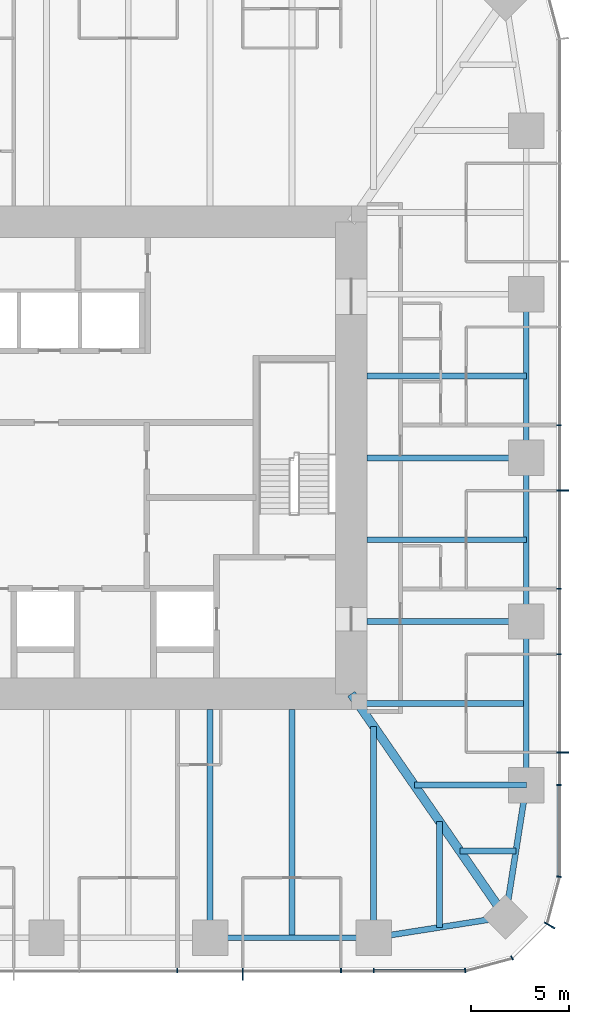
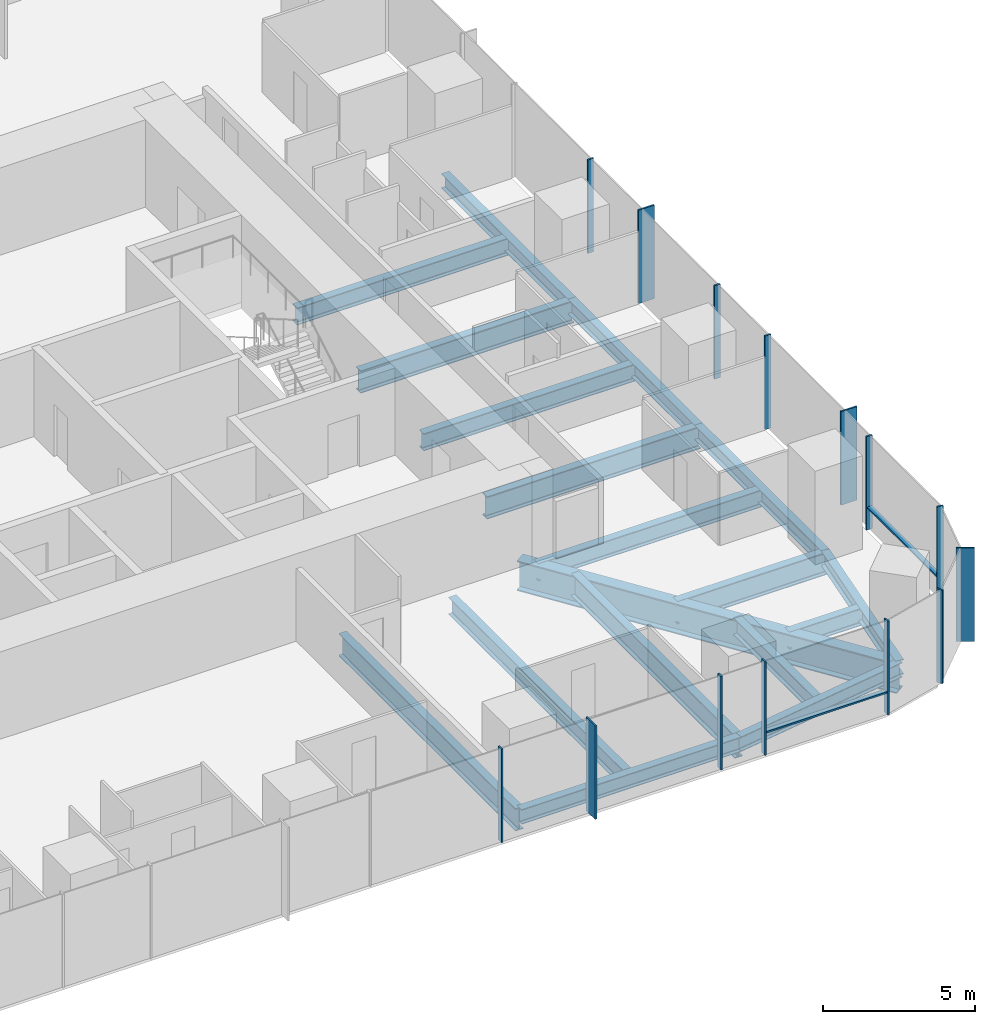
# One storey, part 4 of 12: 18 beams, 16 members, 3 elements without a shape of their own.
"""IFC4 building model written with IfcOpenShell, lengths in metres."""

import ifcopenshell
import ifcopenshell.guid

model = None  # the IFC model being written
_history = None  # IfcOwnerHistory: only IFC2X3 demands one
_inside = {}  # id of a spatial element -> (the spatial element, [elements in it])
_under = {}  # id of a project, library or spatial element -> (it, [spatial elements below it])
_declared = {}  # id of a project -> (the project, [libraries it declares])
_typed = {}  # id of a type object -> (the type object, [elements of that type])
_made_of = {}  # id of a material, layer set ... -> (it, [elements and type objects made of it])


def new_model(schema):
    """Start an empty IFC model of exactly this schema.

    Asked for "IFC4X3", IfcOpenShell would pick the latest addendum, in which some entities
    have other attributes; the version numbers below select the first issue.
    IFC2X3 requires an IfcOwnerHistory on every rooted entity: one is made here for all.
    """
    global model, _history
    if schema == "IFC4X3":
        model = ifcopenshell.file(schema_version=(4, 3, 0, 0))
    else:
        model = ifcopenshell.file(schema=schema)
    _inside.clear()
    _under.clear()
    _declared.clear()
    _typed.clear()
    _made_of.clear()
    _history = None
    if model.schema == "IFC2X3":
        org = make("IfcOrganization", Name="unknown")
        user = make(
            "IfcPersonAndOrganization",
            ThePerson=make("IfcPerson", FamilyName="unknown"),
            TheOrganization=org,
        )
        app = make(
            "IfcApplication",
            ApplicationDeveloper=org,
            Version="unknown",
            ApplicationFullName="unknown",
            ApplicationIdentifier="unknown",
        )
        _history = make(
            "IfcOwnerHistory",
            OwningUser=user,
            OwningApplication=app,
            ChangeAction="ADDED",
            CreationDate=0,
        )
    return model


def make(cls, **values):
    """One entity of the class cls with the attributes given. An attribute that is None is left unset."""
    return model.create_entity(
        cls, **{name: value for name, value in values.items() if value is not None}
    )


def rooted(cls, **values):
    """An entity with a GlobalId (a new one), such as an element, a storey or a relation."""
    return make(cls, GlobalId=ifcopenshell.guid.new(), OwnerHistory=_history, **values)


def si_unit(unit_type, name, prefix=None):
    """IfcSIUnit, for example si_unit("LENGTHUNIT", "METRE", prefix="MILLI")."""
    return make("IfcSIUnit", UnitType=unit_type, Prefix=prefix, Name=name)


def assignment(units):
    """IfcUnitAssignment: the units of a project."""
    return None if units is None else make("IfcUnitAssignment", Units=units)


def point(xyz):
    """IfcCartesianPoint."""
    return None if xyz is None else make("IfcCartesianPoint", Coordinates=xyz)


def direction(xyz):
    """IfcDirection."""
    return None if xyz is None else make("IfcDirection", DirectionRatios=xyz)


def frame(location, z_axis=None, x_axis=None):
    """IfcAxis2Placement3D, a coordinate frame: its origin and axes. An axis left out is left unset."""
    return make(
        "IfcAxis2Placement3D",
        Location=point(location),
        Axis=direction(z_axis),
        RefDirection=direction(x_axis),
    )


def frame_2d(location, x_axis=None):
    """IfcAxis2Placement2D, a coordinate frame in the plane: its origin and x axis."""
    return make(
        "IfcAxis2Placement2D", Location=point(location), RefDirection=direction(x_axis)
    )


def origin():
    """The frame at (0, 0, 0) with its axes left unset."""
    return frame((0.0, 0.0, 0.0))


def origin_2d():
    """The frame at (0, 0) in the plane with its x axis left unset."""
    return frame_2d((0.0, 0.0))


def place(relative_to, where):
    """IfcLocalPlacement: puts the frame where relative to a parent placement (None: the world)."""
    return make(
        "IfcLocalPlacement", PlacementRelTo=relative_to, RelativePlacement=where
    )


def context(
    kind, dimensions, precision=None, world=None, true_north=None, identifier=None
):
    """IfcGeometricRepresentationContext, for example the 3D "Model" context."""
    return make(
        "IfcGeometricRepresentationContext",
        ContextIdentifier=identifier,
        ContextType=kind,
        CoordinateSpaceDimension=dimensions,
        Precision=precision,
        WorldCoordinateSystem=world,
        TrueNorth=true_north,
    )


def subcontext(parent, identifier, kind, view, scale=None):
    """IfcGeometricRepresentationSubContext, for example "Body" below "Model"."""
    return make(
        "IfcGeometricRepresentationSubContext",
        ContextIdentifier=identifier,
        ContextType=kind,
        ParentContext=parent,
        TargetScale=scale,
        TargetView=view,
    )


def project(units=None, contexts=None):
    """IfcProject with its units and contexts."""
    return rooted(
        "IfcProject",
        Name="project",
        RepresentationContexts=contexts,
        UnitsInContext=assignment(units),
    )


def spatial(cls, under=None, at=None, **own):
    """A site, building, storey or space (cls), placed at a placement, below another one or the project."""
    s = rooted(cls, ObjectPlacement=at, **own)
    if under is not None:
        _under.setdefault(under.id(), (under, []))[1].append(s)
    return s


def profile(cls, at=None, kind="AREA", **sizes):
    """A parametric profile (cls). Its sizes go by their IFC names, for example OverallWidth=200.0."""
    return make(cls, ProfileType=kind, Position=at, **sizes)


def rectangle(**sizes):
    """IfcRectangleProfileDef."""
    return profile("IfcRectangleProfileDef", **sizes)


def i_section(**sizes):
    """IfcIShapeProfileDef."""
    return profile("IfcIShapeProfileDef", **sizes)


def extrude(swept, where, along, depth):
    """IfcExtrudedAreaSolid: the profile swept, set in the frame where, extruded along a direction by depth."""
    return make(
        "IfcExtrudedAreaSolid",
        SweptArea=swept,
        Position=where,
        ExtrudedDirection=direction(along),
        Depth=depth,
    )


def shape(context_of_items, identifier, shape_type, items):
    """IfcShapeRepresentation: the items that make up one representation, for example the "Body"."""
    return make(
        "IfcShapeRepresentation",
        ContextOfItems=context_of_items,
        RepresentationIdentifier=identifier,
        RepresentationType=shape_type,
        Items=items,
    )


def material(Name=None, Category=None):
    """IfcMaterial."""
    return make("IfcMaterial", Name=Name, Category=Category)


def material_profile(
    of_material, cross_section, Name=None, Category=None, Priority=None
):
    """IfcMaterialProfile: a cross section and its material."""
    return make(
        "IfcMaterialProfile",
        Name=Name,
        Material=of_material,
        Profile=cross_section,
        Priority=Priority,
        Category=Category,
    )


def profile_set(profiles, Name=None, composite=None):
    """IfcMaterialProfileSet."""
    return make(
        "IfcMaterialProfileSet",
        Name=Name,
        MaterialProfiles=profiles,
        CompositeProfile=composite,
    )


def made_of(thing, what):
    """Note that an element or type object is made of a material, layer set ...; save() writes the relation."""
    if what is not None:
        _made_of.setdefault(what.id(), (what, []))[1].append(thing)
    return thing


def type_object(cls, material=None, **own):
    """A type object (cls), such as IfcWallType, which elements share."""
    return made_of(rooted(cls, **own), material)


def element(
    cls,
    number,
    at=None,
    inside=None,
    cuts=None,
    type_object=None,
    material=None,
    context=None,
    identifier="Body",
    shape_type=None,
    held_by="IfcProductDefinitionShape",
    body=None,
    shapes=None,
    **own,
):
    """One element of the class cls, such as IfcWall. Its Tag is "e" and its number.

    at: its placement. inside: the storey or other place that contains it. cuts: it is an
    opening in that element (IfcRelVoidsElement). A single representation is given by context,
    identifier, shape_type and body (its items); several are given by shapes. held_by: the class
    of the entity that holds the representations. save() writes the other relations.
    """
    e = rooted(cls, Tag="e%d" % number, ObjectPlacement=at, **own)
    if body is not None:
        shapes = [shape(context, identifier, shape_type, body)]
    if shapes is not None:
        e.Representation = make(held_by, Representations=shapes)
    if inside is not None:
        _inside.setdefault(inside.id(), (inside, []))[1].append(e)
    if cuts is not None:
        rooted(
            "IfcRelVoidsElement", RelatingBuildingElement=cuts, RelatedOpeningElement=e
        )
    if type_object is not None:
        _typed.setdefault(type_object.id(), (type_object, []))[1].append(e)
    return made_of(e, material)


def aggregate(whole, parts):
    """IfcRelAggregates: a whole, such as a stair, and the parts it consists of."""
    return rooted("IfcRelAggregates", RelatingObject=whole, RelatedObjects=parts)


def save(model, path):
    """Write the relations noted so far, then the file.

    IfcRelAggregates (storeys below a building ...), IfcRelContainedInSpatialStructure (elements
    in a storey), IfcRelDefinesByType, IfcRelAssociatesMaterial and IfcRelDeclares: one each for
    every whole, place, type object, material and project.
    """
    for whole, parts in _under.values():
        aggregate(whole, parts)
    for where, things in _inside.values():
        rooted(
            "IfcRelContainedInSpatialStructure",
            RelatedElements=things,
            RelatingStructure=where,
        )
    for kind, things in _typed.values():
        rooted("IfcRelDefinesByType", RelatedObjects=things, RelatingType=kind)
    for what, things in _made_of.values():
        rooted("IfcRelAssociatesMaterial", RelatedObjects=things, RelatingMaterial=what)
    for by, libraries in _declared.values():
        rooted("IfcRelDeclares", RelatingContext=by, RelatedDefinitions=libraries)
    model.write(path)


model = new_model("IFC4")

# Units and contexts
model_context = context("Model", 3, precision=1e-05, world=origin(), true_north=direction((0.0, 1.0)))
body_context = subcontext(model_context, "Body", "Model", "MODEL_VIEW")
ifc_project = project(units=[si_unit("LENGTHUNIT", "METRE"), si_unit("AREAUNIT", "SQUARE_METRE"), si_unit("VOLUMEUNIT", "CUBIC_METRE"), si_unit("PLANEANGLEUNIT", "RADIAN"), si_unit("MASSUNIT", "GRAM", prefix="KILO")], contexts=[model_context])

# Site, building, storey
site_placement = place(None, origin())
site = spatial("IfcSite", under=ifc_project, at=site_placement, CompositionType="ELEMENT")
building_placement = place(site_placement, origin())
building = spatial("IfcBuilding", under=site, at=building_placement, Name="Khuree Lantern Residences", CompositionType="ELEMENT")
storey_placement = place(building_placement, frame((0.0, 0.0, 233.25)))
storey = spatial("IfcBuildingStorey", under=building, at=storey_placement, Name="L58", CompositionType="ELEMENT", Elevation=233.25)

# Beams
ifc_material_1 = material(Name="Steel S355", Category="steel")
ifc_material_profile_1 = material_profile(ifc_material_1, i_section(OverallWidth=0.300048828125, OverallDepth=0.68994140625, WebThickness=0.014404296875, FlangeThickness=0.027099609375, FilletRadius=0.027099609375, at=origin_2d()), Name="HE 700 A")
ifc_profile_set_1 = profile_set([ifc_material_profile_1], Name="Steel S355")
beam_type_1 = type_object("IfcBeamType", Name="B-33 SECONDARY BEAM HE 700 A", PredefinedType="BEAM", material=ifc_profile_set_1)
for number, where, z_axis, x_axis, name in (
    (1, (24.39990234375, 4.159912109375, -0.594970703125), (-1.0, 0.0, 0.0), (0.0, -1.0, 0.0), "Secondary beam E3"),
    (2, (24.39990234375, -4.159912109375, -0.594970703125), (-1.0, 0.0, 0.0), (0.0, -1.0, 0.0), "Secondary beam E4"),
):
    element("IfcBeam", number, at=place(storey_placement, frame(where, z_axis=z_axis, x_axis=x_axis)), inside=storey, type_object=beam_type_1, Name=name, PredefinedType="BEAM", context=body_context, shape_type="SweptSolid", body=[
        extrude(i_section(OverallWidth=0.300048828125, OverallDepth=0.68994140625, WebThickness=0.014404296875, FlangeThickness=0.027099609375, FilletRadius=0.027099609375, at=origin_2d()), origin(), (0.0, 0.0, 1.0), 8.099853515625),
    ])
beam_1_placement = place(storey_placement, frame((24.39990234375, -12.47998046875, -0.594970703125), z_axis=(-1.0, 0.0, 0.0), x_axis=(0.0, -1.0, 0.0)))
element("IfcBeam", 3, at=beam_1_placement, inside=storey, type_object=beam_type_1, Name="Secondary beam E5", PredefinedType="BEAM", context=body_context, shape_type="SweptSolid", body=[
    extrude(i_section(OverallWidth=0.300048828125, OverallDepth=0.68994140625, WebThickness=0.014404296875, FlangeThickness=0.027099609375, FilletRadius=0.027099609375, at=origin_2d()), origin(), (0.0, 0.0, 1.0), 8.56787109375),
])
beam_2_placement = place(storey_placement, frame((23.872802734375, -19.992919921875, -0.594970703125), z_axis=(-1.0, 0.0, 0.0), x_axis=(0.0, -1.0, 0.0)))
element("IfcBeam", 4, at=beam_2_placement, inside=storey, type_object=beam_type_1, Name="Secondary beam E6", PredefinedType="BEAM", context=body_context, shape_type="SweptSolid", body=[
    extrude(i_section(OverallWidth=0.300048828125, OverallDepth=0.68994140625, WebThickness=0.014404296875, FlangeThickness=0.027099609375, FilletRadius=0.027099609375, at=origin_2d()), origin(), (0.0, 0.0, 1.0), 2.845703125),
])
beam_3_placement = place(storey_placement, frame((19.992919921875, -23.872802734375, -0.594970703125), z_axis=(0.0, 1.0, 0.0), x_axis=(-1.0, 0.0, 0.0)))
element("IfcBeam", 5, at=beam_3_placement, inside=storey, type_object=beam_type_1, Name="Secondary beam S1", PredefinedType="BEAM", context=body_context, shape_type="SweptSolid", body=[
    extrude(i_section(OverallWidth=0.300048828125, OverallDepth=0.68994140625, WebThickness=0.014404296875, FlangeThickness=0.027099609375, FilletRadius=0.027099609375, at=origin_2d()), origin(), (0.0, 0.0, 1.0), 5.375732421875),
])
beam_4_placement = place(storey_placement, frame((12.47998046875, -24.39990234375, -0.594970703125), z_axis=(0.0, 1.0, 0.0), x_axis=(-1.0, 0.0, 0.0)))
element("IfcBeam", 6, at=beam_4_placement, inside=storey, type_object=beam_type_1, Name="Secondary beam S2", PredefinedType="BEAM", context=body_context, shape_type="SweptSolid", body=[
    extrude(i_section(OverallWidth=0.300048828125, OverallDepth=0.68994140625, WebThickness=0.014404296875, FlangeThickness=0.027099609375, FilletRadius=0.027099609375, at=origin_2d()), origin(), (0.0, 0.0, 1.0), 11.599853515625),
])
ifc_material_profile_2 = material_profile(ifc_material_1, i_section(OverallWidth=0.300048828125, OverallDepth=0.590087890625, WebThickness=0.012939453125, FlangeThickness=0.02490234375, FilletRadius=0.027099609375, at=origin_2d()), Name="HE 600 A")
ifc_profile_set_2 = profile_set([ifc_material_profile_2], Name="Steel S355")
beam_type_2 = type_object("IfcBeamType", Name="E-33 SPANDREL BEAM HE 600 A", PredefinedType="SPANDREL", material=ifc_profile_set_2)
for number, where, z_axis, x_axis, name in (
    (7, (24.39990234375, 8.320068359375, -0.544921875), (0.0, -1.0, 0.0), (1.0, 0.0, 0.0), "Spandrel beam E3"),
    (8, (24.39990234375, 0.0, -0.544921875), (0.0, -1.0, 0.0), (1.0, 0.0, 0.0), "Spandrel beam E4"),
):
    element("IfcBeam", number, at=place(storey_placement, frame(where, z_axis=z_axis, x_axis=x_axis)), inside=storey, type_object=beam_type_2, Name=name, PredefinedType="SPANDREL", context=body_context, shape_type="SweptSolid", body=[
        extrude(i_section(OverallWidth=0.300048828125, OverallDepth=0.590087890625, WebThickness=0.012939453125, FlangeThickness=0.02490234375, FilletRadius=0.027099609375, at=origin_2d()), origin(), (0.0, 0.0, 1.0), 8.320068359375),
    ])
beam_5_placement = place(storey_placement, frame((24.39990234375, -8.320068359375, -0.544921875), z_axis=(0.0, -1.0, 0.0), x_axis=(1.0, 0.0, 0.0)))
element("IfcBeam", 9, at=beam_5_placement, inside=storey, type_object=beam_type_2, Name="Spandrel beam E5", PredefinedType="SPANDREL", context=body_context, shape_type="SweptSolid", body=[
    extrude(i_section(OverallWidth=0.300048828125, OverallDepth=0.590087890625, WebThickness=0.012939453125, FlangeThickness=0.02490234375, FilletRadius=0.027099609375, at=origin_2d()), origin(), (0.0, 0.0, 1.0), 8.31982421875),
])
for number, where, z_axis, x_axis, name in (
    (10, (24.39990234375, -16.639892578125, -0.544921875), (-0.155299507442, -0.98786743189, 0.0), (0.98786743189, -0.155299507442, 0.0), "Spandrel beam E6"),
    (11, (23.345703125, -23.345703125, -0.544921875), (-0.98786743189, -0.155299507442, 0.0), (0.155299507442, -0.98786743189, 0.0), "Spandrel beam S1"),
):
    element("IfcBeam", number, at=place(storey_placement, frame(where, z_axis=z_axis, x_axis=x_axis)), inside=storey, type_object=beam_type_2, Name=name, PredefinedType="SPANDREL", context=body_context, shape_type="SweptSolid", body=[
        extrude(i_section(OverallWidth=0.300048828125, OverallDepth=0.590087890625, WebThickness=0.012939453125, FlangeThickness=0.02490234375, FilletRadius=0.027099609375, at=origin_2d()), origin(), (0.0, 0.0, 1.0), 6.7880859375),
    ])
beam_6_placement = place(storey_placement, frame((16.639892578125, -24.39990234375, -0.544921875), z_axis=(-1.0, 0.0, 0.0), x_axis=(0.0, -1.0, 0.0)))
element("IfcBeam", 12, at=beam_6_placement, inside=storey, type_object=beam_type_2, Name="Spandrel beam S2", PredefinedType="SPANDREL", context=body_context, shape_type="SweptSolid", body=[
    extrude(i_section(OverallWidth=0.300048828125, OverallDepth=0.590087890625, WebThickness=0.012939453125, FlangeThickness=0.02490234375, FilletRadius=0.027099609375, at=origin_2d()), origin(), (0.0, 0.0, 1.0), 8.31982421875),
])

# Curtain wall, member
ifc_material_2 = material(Name="Bronze anodised aluminium", Category="aluminium")
curtain_wall_type_1 = type_object("IfcCurtainWallType", Name="CW-T2 TOWER CORNER CURTAIN WALL", PredefinedType="USERDEFINED", material=ifc_material_2)
curtain_wall_1_placement = place(storey_placement, origin())
curtain_wall_1 = element("IfcCurtainWall", 13, at=curtain_wall_1_placement, inside=storey, type_object=curtain_wall_type_1, Name="L58 SOUTH-EAST CORNER CURTAIN WALL", ObjectType="Faceted corner curtain wall", PredefinedType="USERDEFINED")
ifc_material_profile_3 = material_profile(ifc_material_2, rectangle(XDim=0.06494140625, YDim=0.60009765625, at=origin_2d()), Name="F1 65X600")
ifc_profile_set_3 = profile_set([ifc_material_profile_3], Name="Bronze anodised aluminium")
member_type_1 = type_object("IfcMemberType", Name="F1 BRONZE FIN MULLION TOWER 65X600", PredefinedType="MULLION", material=ifc_profile_set_3)
member_1_placement = place(storey_placement, frame((25.5869140625, -23.77490234375, 0.0), z_axis=(0.0, 0.0, 1.0), x_axis=(0.499999989586, 0.866025409797, 0.0)))
member_1 = element("IfcMember", 14, at=member_1_placement, type_object=member_type_1, Name="L58 SOUTH-EAST CORNER FIN MULLION 3", PredefinedType="MULLION", context=body_context, shape_type="SweptSolid", body=[
    extrude(rectangle(XDim=0.06494140625, YDim=0.60009765625, at=origin_2d()), origin(), (0.0, 0.0, 1.0), 3.75),
])

# Curtain wall, members
curtain_wall_type_2 = type_object("IfcCurtainWallType", Name="CW-T1 TOWER FACE CURTAIN WALL", PredefinedType="USERDEFINED", material=ifc_material_2)
curtain_wall_2_placement = place(storey_placement, origin())
curtain_wall_2 = element("IfcCurtainWall", 15, at=curtain_wall_2_placement, inside=storey, type_object=curtain_wall_type_2, Name="L58 EAST FACE CURTAIN WALL", ObjectType="Stick-built curtain wall", PredefinedType="USERDEFINED")
member_2_placement = place(storey_placement, frame((26.25, -14.97607421875, 0.0), z_axis=(0.0, 0.0, 1.0), x_axis=(0.0, 1.0, 0.0)))
member_2 = element("IfcMember", 16, at=member_2_placement, type_object=member_type_1, Name="L58 EAST FACE FIN MULLION 6", PredefinedType="MULLION", context=body_context, shape_type="SweptSolid", body=[
    extrude(rectangle(XDim=0.06494140625, YDim=0.60009765625, at=origin_2d()), origin(), (0.0, 0.0, 1.0), 3.75),
])
member_3_placement = place(storey_placement, frame((26.25, -1.6640625, 0.0), z_axis=(0.0, 0.0, 1.0), x_axis=(0.0, 1.0, 0.0)))
member_3 = element("IfcMember", 17, at=member_3_placement, type_object=member_type_1, Name="L58 EAST FACE FIN MULLION 9", PredefinedType="MULLION", context=body_context, shape_type="SweptSolid", body=[
    extrude(rectangle(XDim=0.06494140625, YDim=0.60009765625, at=origin_2d()), origin(), (0.0, 0.0, 1.0), 3.75),
])

# Curtain wall, member
curtain_wall_3_placement = place(storey_placement, origin())
curtain_wall_3 = element("IfcCurtainWall", 18, at=curtain_wall_3_placement, inside=storey, type_object=curtain_wall_type_2, Name="L58 SOUTH FACE CURTAIN WALL", ObjectType="Stick-built curtain wall", PredefinedType="USERDEFINED")
member_4_placement = place(storey_placement, frame((9.98388671875, -26.25, 0.0), z_axis=(0.0, 0.0, 1.0), x_axis=(1.0, 0.0, 0.0)))
member_4 = element("IfcMember", 19, at=member_4_placement, type_object=member_type_1, Name="L58 SOUTH FACE FIN MULLION 54", PredefinedType="MULLION", context=body_context, shape_type="SweptSolid", body=[
    extrude(rectangle(XDim=0.06494140625, YDim=0.60009765625, at=origin_2d()), origin(), (0.0, 0.0, 1.0), 3.75),
])

# Beams
ifc_material_profile_4 = material_profile(ifc_material_1, i_section(OverallWidth=0.300048828125, OverallDepth=0.89990234375, WebThickness=0.0185546875, FlangeThickness=0.034912109375, FilletRadius=0.030029296875, at=origin_2d()), Name="HE 900 B")
ifc_profile_set_4 = profile_set([ifc_material_profile_4], Name="Steel S355")
beam_type_3 = type_object("IfcBeamType", Name="G-33 GIRDER HE 900 B", PredefinedType="BEAM", material=ifc_profile_set_4)
for number, where, z_axis, x_axis, name in (
    (20, (24.39990234375, 0.0, -0.699951171875), (-1.0, 0.0, 0.0), (0.0, -1.0, 0.0), "Girder E3"),
    (21, (24.39990234375, -8.320068359375, -0.699951171875), (-1.0, 0.0, 0.0), (0.0, -1.0, 0.0), "Girder E4"),
):
    element("IfcBeam", number, at=place(storey_placement, frame(where, z_axis=z_axis, x_axis=x_axis)), inside=storey, type_object=beam_type_3, Name=name, PredefinedType="BEAM", context=body_context, shape_type="SweptSolid", body=[
        extrude(i_section(OverallWidth=0.300048828125, OverallDepth=0.89990234375, WebThickness=0.0185546875, FlangeThickness=0.034912109375, FilletRadius=0.030029296875, at=origin_2d()), origin(), (0.0, 0.0, 1.0), 8.099853515625),
    ])
beam_7_placement = place(storey_placement, frame((24.39990234375, -16.639892578125, -0.699951171875), z_axis=(-1.0, 0.0, 0.0), x_axis=(0.0, -1.0, 0.0)))
element("IfcBeam", 22, at=beam_7_placement, inside=storey, type_object=beam_type_3, Name="Girder E5", PredefinedType="BEAM", context=body_context, shape_type="SweptSolid", body=[
    extrude(i_section(OverallWidth=0.300048828125, OverallDepth=0.89990234375, WebThickness=0.0185546875, FlangeThickness=0.034912109375, FilletRadius=0.030029296875, at=origin_2d()), origin(), (0.0, 0.0, 1.0), 5.69140625),
])
beam_8_placement = place(storey_placement, frame((16.639892578125, -24.39990234375, -0.699951171875), z_axis=(0.0, 1.0, 0.0), x_axis=(-1.0, 0.0, 0.0)))
element("IfcBeam", 23, at=beam_8_placement, inside=storey, type_object=beam_type_3, Name="Girder S1", PredefinedType="BEAM", context=body_context, shape_type="SweptSolid", body=[
    extrude(i_section(OverallWidth=0.300048828125, OverallDepth=0.89990234375, WebThickness=0.0185546875, FlangeThickness=0.034912109375, FilletRadius=0.030029296875, at=origin_2d()), origin(), (0.0, 0.0, 1.0), 10.751220703125),
])
beam_9_placement = place(storey_placement, frame((8.320068359375, -24.39990234375, -0.699951171875), z_axis=(0.0, 1.0, 0.0), x_axis=(-1.0, 0.0, 0.0)))
element("IfcBeam", 24, at=beam_9_placement, inside=storey, type_object=beam_type_3, Name="Girder S2", PredefinedType="BEAM", context=body_context, shape_type="SweptSolid", body=[
    extrude(i_section(OverallWidth=0.300048828125, OverallDepth=0.89990234375, WebThickness=0.0185546875, FlangeThickness=0.034912109375, FilletRadius=0.030029296875, at=origin_2d()), origin(), (0.0, 0.0, 1.0), 11.599853515625),
])
ifc_material_profile_5 = material_profile(ifc_material_1, i_section(OverallWidth=0.449951171875, OverallDepth=1.199951171875, WebThickness=0.02490234375, FlangeThickness=0.044921875, at=origin_2d()), Name="WELDED I 1200X450X25X45")
ifc_profile_set_5 = profile_set([ifc_material_profile_5], Name="Steel S355")
beam_type_4 = type_object("IfcBeamType", Name="GD-33 CORNER GIRDER WELDED I 1200X450X25X45", PredefinedType="BEAM", material=ifc_profile_set_5)
beam_10_placement = place(storey_placement, frame((23.345703125, -23.345703125, -0.85009765625), z_axis=(-0.56876813501, 0.822497907959, 0.0), x_axis=(-0.822497907959, -0.56876813501, 0.0)))
element("IfcBeam", 25, at=beam_10_placement, inside=storey, type_object=beam_type_4, Name="Corner girder SE", PredefinedType="BEAM", context=body_context, shape_type="SweptSolid", body=[
    extrude(i_section(OverallWidth=0.449951171875, OverallDepth=1.199951171875, WebThickness=0.02490234375, FlangeThickness=0.044921875, at=origin_2d()), origin(), (0.0, 0.0, 1.0), 13.794189453125),
])

# Member
ifc_material_profile_6 = material_profile(ifc_material_2, rectangle(XDim=0.06494140625, YDim=0.219970703125, at=origin_2d()), Name="M1 65X220")
ifc_profile_set_6 = profile_set([ifc_material_profile_6], Name="Bronze anodised aluminium")
member_type_2 = type_object("IfcMemberType", Name="M1 BRONZE MULLION TOWER 65X220", PredefinedType="MULLION", material=ifc_profile_set_6)
member_5_placement = place(storey_placement, frame((21.294921875, -26.061767578125, 0.0), z_axis=(0.0, 0.0, 1.0), x_axis=(0.991444862943, 0.130526180298, 0.0)))
member_5 = element("IfcMember", 26, at=member_5_placement, type_object=member_type_2, Name="L58 SOUTH-EAST CORNER MULLION 1", PredefinedType="MULLION", context=body_context, shape_type="SweptSolid", body=[
    extrude(rectangle(XDim=0.06494140625, YDim=0.219970703125, at=origin_2d()), origin(), (0.0, 0.0, 1.0), 3.75),
])

member_6_placement = place(storey_placement, frame((23.679931640625, -25.42236328125, 0.0), z_axis=(0.0, 0.0, 1.0), x_axis=(0.866025409797, 0.499999989586, 0.0)))
member_6 = element("IfcMember", 27, at=member_6_placement, type_object=member_type_2, Name="L58 SOUTH-EAST CORNER MULLION 2", PredefinedType="MULLION", context=body_context, shape_type="SweptSolid", body=[
    extrude(rectangle(XDim=0.06494140625, YDim=0.219970703125, at=origin_2d()), origin(), (0.0, 0.0, 1.0), 3.75),
])

aggregate(curtain_wall_1, [member_5, member_6, member_1])

member_7_placement = place(storey_placement, frame((26.061767578125, -21.294921875, 0.0), z_axis=(0.0, 0.0, 1.0), x_axis=(0.130526180298, 0.991444862943, 0.0)))
member_7 = element("IfcMember", 28, at=member_7_placement, type_object=member_type_2, Name="L58 EAST FACE MULLION 4", PredefinedType="MULLION", context=body_context, shape_type="SweptSolid", body=[
    extrude(rectangle(XDim=0.06494140625, YDim=0.219970703125, at=origin_2d()), origin(), (0.0, 0.0, 1.0), 3.75),
])

member_8_placement = place(storey_placement, frame((26.06005859375, -16.639892578125, 0.0), z_axis=(0.0, 0.0, 1.0), x_axis=(0.0, 1.0, 0.0)))
member_8 = element("IfcMember", 29, at=member_8_placement, type_object=member_type_2, Name="L58 EAST FACE MULLION 5", PredefinedType="MULLION", context=body_context, shape_type="SweptSolid", body=[
    extrude(rectangle(XDim=0.06494140625, YDim=0.219970703125, at=origin_2d()), origin(), (0.0, 0.0, 1.0), 3.75),
])

member_9_placement = place(storey_placement, frame((26.06005859375, -9.98388671875, 0.0), z_axis=(0.0, 0.0, 1.0), x_axis=(0.0, 1.0, 0.0)))
member_9 = element("IfcMember", 30, at=member_9_placement, type_object=member_type_2, Name="L58 EAST FACE MULLION 7", PredefinedType="MULLION", context=body_context, shape_type="SweptSolid", body=[
    extrude(rectangle(XDim=0.06494140625, YDim=0.219970703125, at=origin_2d()), origin(), (0.0, 0.0, 1.0), 3.75),
])

member_10_placement = place(storey_placement, frame((26.06005859375, -6.656005859375, 0.0), z_axis=(0.0, 0.0, 1.0), x_axis=(0.0, 1.0, 0.0)))
member_10 = element("IfcMember", 31, at=member_10_placement, type_object=member_type_2, Name="L58 EAST FACE MULLION 8", PredefinedType="MULLION", context=body_context, shape_type="SweptSolid", body=[
    extrude(rectangle(XDim=0.06494140625, YDim=0.219970703125, at=origin_2d()), origin(), (0.0, 0.0, 1.0), 3.75),
])

member_11_placement = place(storey_placement, frame((26.06005859375, 1.6640625, 0.0), z_axis=(0.0, 0.0, 1.0), x_axis=(0.0, 1.0, 0.0)))
member_11 = element("IfcMember", 32, at=member_11_placement, type_object=member_type_2, Name="L58 EAST FACE MULLION 10", PredefinedType="MULLION", context=body_context, shape_type="SweptSolid", body=[
    extrude(rectangle(XDim=0.06494140625, YDim=0.219970703125, at=origin_2d()), origin(), (0.0, 0.0, 1.0), 3.75),
])

member_12_placement = place(storey_placement, frame((6.656005859375, -26.06005859375, 0.0), z_axis=(0.0, 0.0, 1.0), x_axis=(1.0, 0.0, 0.0)))
member_12 = element("IfcMember", 33, at=member_12_placement, type_object=member_type_2, Name="L58 SOUTH FACE MULLION 53", PredefinedType="MULLION", context=body_context, shape_type="SweptSolid", body=[
    extrude(rectangle(XDim=0.06494140625, YDim=0.219970703125, at=origin_2d()), origin(), (0.0, 0.0, 1.0), 3.75),
])

member_13_placement = place(storey_placement, frame((14.97607421875, -26.06005859375, 0.0), z_axis=(0.0, 0.0, 1.0), x_axis=(1.0, 0.0, 0.0)))
member_13 = element("IfcMember", 34, at=member_13_placement, type_object=member_type_2, Name="L58 SOUTH FACE MULLION 55", PredefinedType="MULLION", context=body_context, shape_type="SweptSolid", body=[
    extrude(rectangle(XDim=0.06494140625, YDim=0.219970703125, at=origin_2d()), origin(), (0.0, 0.0, 1.0), 3.75),
])

member_14_placement = place(storey_placement, frame((16.639892578125, -26.06005859375, 0.0), z_axis=(0.0, 0.0, 1.0), x_axis=(1.0, 0.0, 0.0)))
member_14 = element("IfcMember", 35, at=member_14_placement, type_object=member_type_2, Name="L58 SOUTH FACE MULLION 56", PredefinedType="MULLION", context=body_context, shape_type="SweptSolid", body=[
    extrude(rectangle(XDim=0.06494140625, YDim=0.219970703125, at=origin_2d()), origin(), (0.0, 0.0, 1.0), 3.75),
])

ifc_material_profile_7 = material_profile(ifc_material_2, rectangle(XDim=0.179931640625, YDim=0.06494140625, at=origin_2d()), Name="T1 180X65")
ifc_profile_set_7 = profile_set([ifc_material_profile_7], Name="Bronze anodised aluminium")
member_type_3 = type_object("IfcMemberType", Name="TRANSOM T1 TOWER 180X65", PredefinedType="USERDEFINED", material=ifc_profile_set_7)
member_15_placement = place(storey_placement, frame((26.070068359375, -21.25146484375, 0.89990234375), z_axis=(0.0, 1.0, 0.0), x_axis=(-1.0, 0.0, 0.0)))
member_15 = element("IfcMember", 36, at=member_15_placement, type_object=member_type_3, Name="L58 EAST FACE TRANSOM 4.1", ObjectType="Transom", PredefinedType="USERDEFINED", context=body_context, shape_type="SweptSolid", body=[
    extrude(rectangle(XDim=0.179931640625, YDim=0.06494140625, at=origin_2d()), origin(), (0.0, 0.0, 1.0), 4.578857421875),
])

aggregate(curtain_wall_2, [member_7, member_8, member_2, member_9, member_10, member_3, member_11, member_15])

member_16_placement = place(storey_placement, frame((16.672607421875, -26.070068359375, 0.89990234375), z_axis=(1.0, 0.0, 0.0), x_axis=(0.0, 1.0, 0.0)))
member_16 = element("IfcMember", 37, at=member_16_placement, type_object=member_type_3, Name="L58 SOUTH FACE TRANSOM 56.1", ObjectType="Transom", PredefinedType="USERDEFINED", context=body_context, shape_type="SweptSolid", body=[
    extrude(rectangle(XDim=0.179931640625, YDim=0.06494140625, at=origin_2d()), origin(), (0.0, 0.0, 1.0), 4.578857421875),
])

aggregate(curtain_wall_3, [member_12, member_4, member_13, member_14, member_16])

save(model, "model.ifc")
